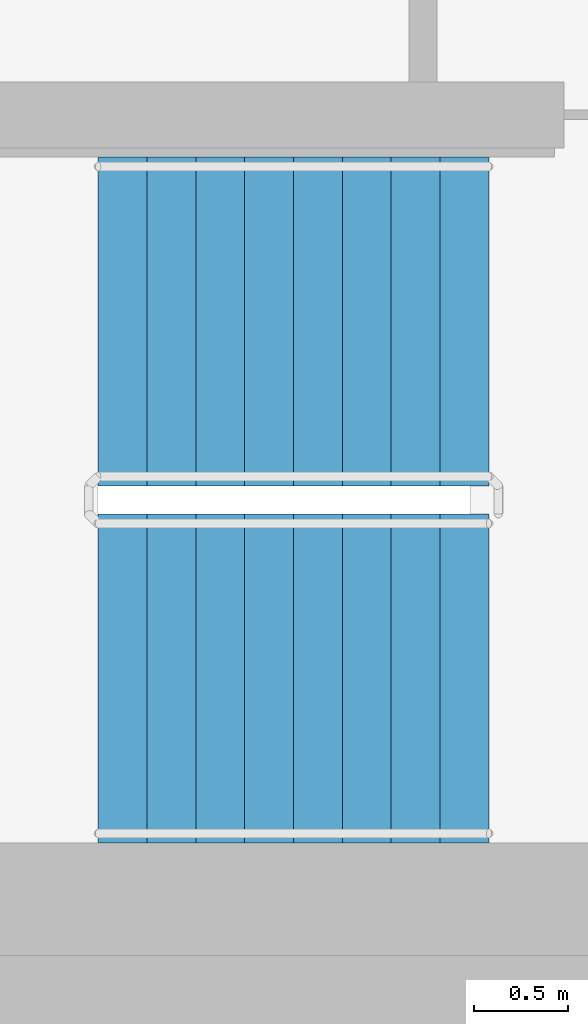
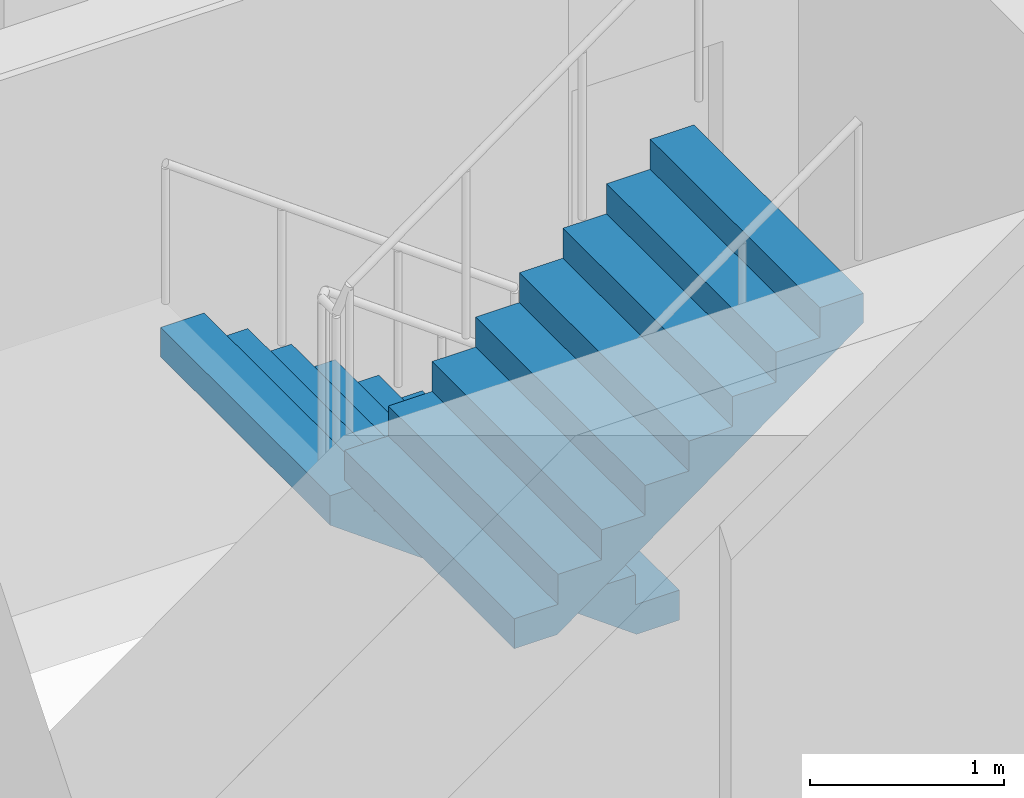
# One storey, part 12 of 18: 2 stair flights, 1 element without a shape of its own.
"""IFC4 building model written with IfcOpenShell, lengths in metres."""

import ifcopenshell
import ifcopenshell.guid

model = None  # the IFC model being written
_history = None  # IfcOwnerHistory: only IFC2X3 demands one
_inside = {}  # id of a spatial element -> (the spatial element, [elements in it])
_under = {}  # id of a project, library or spatial element -> (it, [spatial elements below it])
_declared = {}  # id of a project -> (the project, [libraries it declares])
_typed = {}  # id of a type object -> (the type object, [elements of that type])
_made_of = {}  # id of a material, layer set ... -> (it, [elements and type objects made of it])


def new_model(schema):
    """Start an empty IFC model of exactly this schema.

    Asked for "IFC4X3", IfcOpenShell would pick the latest addendum, in which some entities
    have other attributes; the version numbers below select the first issue.
    IFC2X3 requires an IfcOwnerHistory on every rooted entity: one is made here for all.
    """
    global model, _history
    if schema == "IFC4X3":
        model = ifcopenshell.file(schema_version=(4, 3, 0, 0))
    else:
        model = ifcopenshell.file(schema=schema)
    _inside.clear()
    _under.clear()
    _declared.clear()
    _typed.clear()
    _made_of.clear()
    _history = None
    if model.schema == "IFC2X3":
        org = make("IfcOrganization", Name="unknown")
        user = make(
            "IfcPersonAndOrganization",
            ThePerson=make("IfcPerson", FamilyName="unknown"),
            TheOrganization=org,
        )
        app = make(
            "IfcApplication",
            ApplicationDeveloper=org,
            Version="unknown",
            ApplicationFullName="unknown",
            ApplicationIdentifier="unknown",
        )
        _history = make(
            "IfcOwnerHistory",
            OwningUser=user,
            OwningApplication=app,
            ChangeAction="ADDED",
            CreationDate=0,
        )
    return model


def make(cls, **values):
    """One entity of the class cls with the attributes given. An attribute that is None is left unset."""
    return model.create_entity(
        cls, **{name: value for name, value in values.items() if value is not None}
    )


def rooted(cls, **values):
    """An entity with a GlobalId (a new one), such as an element, a storey or a relation."""
    return make(cls, GlobalId=ifcopenshell.guid.new(), OwnerHistory=_history, **values)


def si_unit(unit_type, name, prefix=None):
    """IfcSIUnit, for example si_unit("LENGTHUNIT", "METRE", prefix="MILLI")."""
    return make("IfcSIUnit", UnitType=unit_type, Prefix=prefix, Name=name)


def assignment(units):
    """IfcUnitAssignment: the units of a project."""
    return None if units is None else make("IfcUnitAssignment", Units=units)


def point(xyz):
    """IfcCartesianPoint."""
    return None if xyz is None else make("IfcCartesianPoint", Coordinates=xyz)


def direction(xyz):
    """IfcDirection."""
    return None if xyz is None else make("IfcDirection", DirectionRatios=xyz)


def frame(location, z_axis=None, x_axis=None):
    """IfcAxis2Placement3D, a coordinate frame: its origin and axes. An axis left out is left unset."""
    return make(
        "IfcAxis2Placement3D",
        Location=point(location),
        Axis=direction(z_axis),
        RefDirection=direction(x_axis),
    )


def origin():
    """The frame at (0, 0, 0) with its axes left unset."""
    return frame((0.0, 0.0, 0.0))


def place(relative_to, where):
    """IfcLocalPlacement: puts the frame where relative to a parent placement (None: the world)."""
    return make(
        "IfcLocalPlacement", PlacementRelTo=relative_to, RelativePlacement=where
    )


def context(
    kind, dimensions, precision=None, world=None, true_north=None, identifier=None
):
    """IfcGeometricRepresentationContext, for example the 3D "Model" context."""
    return make(
        "IfcGeometricRepresentationContext",
        ContextIdentifier=identifier,
        ContextType=kind,
        CoordinateSpaceDimension=dimensions,
        Precision=precision,
        WorldCoordinateSystem=world,
        TrueNorth=true_north,
    )


def subcontext(parent, identifier, kind, view, scale=None):
    """IfcGeometricRepresentationSubContext, for example "Body" below "Model"."""
    return make(
        "IfcGeometricRepresentationSubContext",
        ContextIdentifier=identifier,
        ContextType=kind,
        ParentContext=parent,
        TargetScale=scale,
        TargetView=view,
    )


def project(units=None, contexts=None):
    """IfcProject with its units and contexts."""
    return rooted(
        "IfcProject",
        Name="project",
        RepresentationContexts=contexts,
        UnitsInContext=assignment(units),
    )


def spatial(cls, under=None, at=None, **own):
    """A site, building, storey or space (cls), placed at a placement, below another one or the project."""
    s = rooted(cls, ObjectPlacement=at, **own)
    if under is not None:
        _under.setdefault(under.id(), (under, []))[1].append(s)
    return s


def faces_of(points, faces, orient=None, outer=None):
    """IfcFace entities. A face is a list of loops; a loop is a list of indices into points, from 0.

    orient and outer hold one flag for each loop. By default every Orientation is true, the
    first loop of a face is its IfcFaceOuterBound and the others are IfcFaceBound.
    """
    made = []
    for i, loops in enumerate(faces):
        bounds = []
        for j, loop in enumerate(loops):
            is_outer = j == 0 if outer is None else outer[i][j]
            bounds.append(
                make(
                    "IfcFaceOuterBound" if is_outer else "IfcFaceBound",
                    Bound=make("IfcPolyLoop", Polygon=[points[k] for k in loop]),
                    Orientation=True if orient is None else orient[i][j],
                )
            )
        made.append(make("IfcFace", Bounds=bounds))
    return made


def faceted_brep(points, faces, orient=None, outer=None, voids=None):
    """IfcFacetedBrep: a solid bounded by flat faces; with voids (closed shells), ...WithVoids."""
    shared = [point(p) for p in points]
    hull = make("IfcClosedShell", CfsFaces=faces_of(shared, faces, orient, outer))
    if voids is None:
        return make("IfcFacetedBrep", Outer=hull)
    return make(
        "IfcFacetedBrepWithVoids",
        Outer=hull,
        Voids=[
            make(cls, CfsFaces=faces_of(shared, fs, o, b)) for cls, fs, o, b in voids
        ],
    )


def shape(context_of_items, identifier, shape_type, items):
    """IfcShapeRepresentation: the items that make up one representation, for example the "Body"."""
    return make(
        "IfcShapeRepresentation",
        ContextOfItems=context_of_items,
        RepresentationIdentifier=identifier,
        RepresentationType=shape_type,
        Items=items,
    )


def material(Name=None, Category=None):
    """IfcMaterial."""
    return make("IfcMaterial", Name=Name, Category=Category)


def made_of(thing, what):
    """Note that an element or type object is made of a material, layer set ...; save() writes the relation."""
    if what is not None:
        _made_of.setdefault(what.id(), (what, []))[1].append(thing)
    return thing


def type_object(cls, material=None, **own):
    """A type object (cls), such as IfcWallType, which elements share."""
    return made_of(rooted(cls, **own), material)


def element(
    cls,
    number,
    at=None,
    inside=None,
    cuts=None,
    type_object=None,
    material=None,
    context=None,
    identifier="Body",
    shape_type=None,
    held_by="IfcProductDefinitionShape",
    body=None,
    shapes=None,
    **own,
):
    """One element of the class cls, such as IfcWall. Its Tag is "e" and its number.

    at: its placement. inside: the storey or other place that contains it. cuts: it is an
    opening in that element (IfcRelVoidsElement). A single representation is given by context,
    identifier, shape_type and body (its items); several are given by shapes. held_by: the class
    of the entity that holds the representations. save() writes the other relations.
    """
    e = rooted(cls, Tag="e%d" % number, ObjectPlacement=at, **own)
    if body is not None:
        shapes = [shape(context, identifier, shape_type, body)]
    if shapes is not None:
        e.Representation = make(held_by, Representations=shapes)
    if inside is not None:
        _inside.setdefault(inside.id(), (inside, []))[1].append(e)
    if cuts is not None:
        rooted(
            "IfcRelVoidsElement", RelatingBuildingElement=cuts, RelatedOpeningElement=e
        )
    if type_object is not None:
        _typed.setdefault(type_object.id(), (type_object, []))[1].append(e)
    return made_of(e, material)


def aggregate(whole, parts):
    """IfcRelAggregates: a whole, such as a stair, and the parts it consists of."""
    return rooted("IfcRelAggregates", RelatingObject=whole, RelatedObjects=parts)


def save(model, path):
    """Write the relations noted so far, then the file.

    IfcRelAggregates (storeys below a building ...), IfcRelContainedInSpatialStructure (elements
    in a storey), IfcRelDefinesByType, IfcRelAssociatesMaterial and IfcRelDeclares: one each for
    every whole, place, type object, material and project.
    """
    for whole, parts in _under.values():
        aggregate(whole, parts)
    for where, things in _inside.values():
        rooted(
            "IfcRelContainedInSpatialStructure",
            RelatedElements=things,
            RelatingStructure=where,
        )
    for kind, things in _typed.values():
        rooted("IfcRelDefinesByType", RelatedObjects=things, RelatingType=kind)
    for what, things in _made_of.values():
        rooted("IfcRelAssociatesMaterial", RelatedObjects=things, RelatingMaterial=what)
    for by, libraries in _declared.values():
        rooted("IfcRelDeclares", RelatingContext=by, RelatedDefinitions=libraries)
    model.write(path)


model = new_model("IFC4")

# Units and contexts
model_context = context("Model", 3, precision=1e-05, world=origin(), true_north=direction((0.0, 1.0)))
body_context = subcontext(model_context, "Body", "Model", "MODEL_VIEW")
ifc_project = project(units=[si_unit("LENGTHUNIT", "METRE"), si_unit("AREAUNIT", "SQUARE_METRE"), si_unit("VOLUMEUNIT", "CUBIC_METRE"), si_unit("PLANEANGLEUNIT", "RADIAN"), si_unit("MASSUNIT", "GRAM", prefix="KILO")], contexts=[model_context])

# Site, building, storey
site_placement = place(None, origin())
site = spatial("IfcSite", under=ifc_project, at=site_placement, CompositionType="ELEMENT")
building_placement = place(site_placement, origin())
building = spatial("IfcBuilding", under=site, at=building_placement, Name="Ipe Terrace Towers", CompositionType="ELEMENT")
storey_placement = place(building_placement, frame((0.0, 0.0, 192.60009765625)))
storey = spatial("IfcBuildingStorey", under=building, at=storey_placement, Name="L53", CompositionType="ELEMENT", Elevation=192.60009765625)

# Stair, stair flights
ifc_material_1 = material(Name="Concrete C30/37", Category="concrete")
stair_type = type_object("IfcStairType", Name="Protected exit stair", PredefinedType="HALF_TURN_STAIR", material=ifc_material_1)
stair_placement = place(storey_placement, origin())
stair = element("IfcStair", 1, at=stair_placement, inside=storey, type_object=stair_type, Name="L53 Exit stair T1-C2", PredefinedType="HALF_TURN_STAIR")
ifc_material_2 = material(Name="Concrete C30/37", Category="concrete")
stair_flight_type = type_object("IfcStairFlightType", Name="Exit stair flight 1750", PredefinedType="STRAIGHT", material=ifc_material_2)
stair_flight_1_placement = place(storey_placement, frame((-45.699951171875, -2.77490234375, 0.0), z_axis=(0.0, 0.0, 1.0), x_axis=(-1.0, 0.0, 0.0)))
stair_flight_1 = element("IfcStairFlight", 2, at=stair_flight_1_placement, type_object=stair_flight_type, Name="T1-ST2 flight 1", NumberOfRisers=9, NumberOfTreads=8, PredefinedType="STRAIGHT", RiserHeight=0.188888889, TreadLength=0.26, context=body_context, shape_type="Brep", body=[
    faceted_brep([(0.255126953125, -0.875, 0.0), (2.080078125, -0.875, 1.325927734375), (2.080078125, -0.875, 1.51123046875), (1.820068359375, -0.875, 1.51123046875), (1.820068359375, -0.875, 1.322265625), (1.56005859375, -0.875, 1.322265625), (1.56005859375, -0.875, 1.13330078125), (1.300048828125, -0.875, 1.13330078125), (1.300048828125, -0.875, 0.9443359375), (1.0400390625, -0.875, 0.9443359375), (1.0400390625, -0.875, 0.755615234375), (0.780029296875, -0.875, 0.755615234375), (0.780029296875, -0.875, 0.566650390625), (0.52001953125, -0.875, 0.566650390625), (0.52001953125, -0.875, 0.377685546875), (0.260009765625, -0.875, 0.377685546875), (0.260009765625, -0.875, 0.18896484375), (0.0, -0.875, 0.18896484375), (0.0, -0.875, 0.0), (0.0, 0.875, 0.0), (0.0, 0.875, 0.18896484375), (0.260009765625, 0.875, 0.18896484375), (0.260009765625, 0.875, 0.377685546875), (0.52001953125, 0.875, 0.377685546875), (0.52001953125, 0.875, 0.566650390625), (0.780029296875, 0.875, 0.566650390625), (0.780029296875, 0.875, 0.755615234375), (1.0400390625, 0.875, 0.755615234375), (1.0400390625, 0.875, 0.9443359375), (1.300048828125, 0.875, 0.9443359375), (1.300048828125, 0.875, 1.13330078125), (1.56005859375, 0.875, 1.13330078125), (1.56005859375, 0.875, 1.322265625), (1.820068359375, 0.875, 1.322265625), (1.820068359375, 0.875, 1.51123046875), (2.080078125, 0.875, 1.51123046875), (2.080078125, 0.875, 1.325927734375), (0.255126953125, 0.875, 0.0), (0.0, -0.300048828125, 0.18896484375), (0.0, -0.1201171875, 0.18896484375), (0.0, -0.06005859375, 0.18896484375), (0.0, -0.030029296875, 0.18896484375), (0.0, -0.010009765625, 0.18896484375), (0.0, 0.0, 0.18896484375), (0.0, 0.010009765625, 0.18896484375), (0.0, 0.030029296875, 0.18896484375), (0.0, 0.06005859375, 0.18896484375), (0.0, 0.1201171875, 0.18896484375), (0.0, 0.300048828125, 0.18896484375), (0.0, 0.300048828125, 0.0), (0.0, 0.1201171875, 0.0), (0.0, 0.06005859375, 0.0), (0.0, 0.030029296875, 0.0), (0.0, 0.010009765625, 0.0), (0.0, 0.0, 0.0), (0.0, -0.010009765625, 0.0), (0.0, -0.030029296875, 0.0), (0.0, -0.06005859375, 0.0), (0.0, -0.1201171875, 0.0), (0.0, -0.300048828125, 0.0), (0.260009765625, -0.300048828125, 0.18896484375), (0.260009765625, -0.1201171875, 0.18896484375), (0.260009765625, -0.06005859375, 0.18896484375), (0.260009765625, -0.030029296875, 0.18896484375), (0.260009765625, -0.010009765625, 0.18896484375), (0.260009765625, 0.0, 0.18896484375), (0.260009765625, 0.010009765625, 0.18896484375), (0.260009765625, 0.030029296875, 0.18896484375), (0.260009765625, 0.06005859375, 0.18896484375), (0.260009765625, 0.1201171875, 0.18896484375), (0.260009765625, 0.300048828125, 0.18896484375), (0.260009765625, -0.300048828125, 0.377685546875), (0.260009765625, -0.1201171875, 0.377685546875), (0.260009765625, -0.06005859375, 0.377685546875), (0.260009765625, -0.030029296875, 0.377685546875), (0.260009765625, -0.010009765625, 0.377685546875), (0.260009765625, 0.0, 0.377685546875), (0.260009765625, 0.010009765625, 0.377685546875), (0.260009765625, 0.030029296875, 0.377685546875), (0.260009765625, 0.06005859375, 0.377685546875), (0.260009765625, 0.1201171875, 0.377685546875), (0.260009765625, 0.300048828125, 0.377685546875), (0.52001953125, -0.300048828125, 0.377685546875), (0.52001953125, -0.1201171875, 0.377685546875), (0.52001953125, -0.06005859375, 0.377685546875), (0.52001953125, -0.030029296875, 0.377685546875), (0.52001953125, -0.010009765625, 0.377685546875), (0.52001953125, 0.0, 0.377685546875), (0.52001953125, 0.010009765625, 0.377685546875), (0.52001953125, 0.030029296875, 0.377685546875), (0.52001953125, 0.06005859375, 0.377685546875), (0.52001953125, 0.1201171875, 0.377685546875), (0.52001953125, 0.300048828125, 0.377685546875), (0.52001953125, -0.300048828125, 0.566650390625), (0.52001953125, -0.1201171875, 0.566650390625), (0.52001953125, -0.06005859375, 0.566650390625), (0.52001953125, -0.030029296875, 0.566650390625), (0.52001953125, -0.010009765625, 0.566650390625), (0.52001953125, 0.0, 0.566650390625), (0.52001953125, 0.010009765625, 0.566650390625), (0.52001953125, 0.030029296875, 0.566650390625), (0.52001953125, 0.06005859375, 0.566650390625), (0.52001953125, 0.1201171875, 0.566650390625), (0.52001953125, 0.300048828125, 0.566650390625), (0.780029296875, -0.300048828125, 0.566650390625), (0.780029296875, -0.1201171875, 0.566650390625), (0.780029296875, -0.06005859375, 0.566650390625), (0.780029296875, -0.030029296875, 0.566650390625), (0.780029296875, -0.010009765625, 0.566650390625), (0.780029296875, 0.0, 0.566650390625), (0.780029296875, 0.010009765625, 0.566650390625), (0.780029296875, 0.030029296875, 0.566650390625), (0.780029296875, 0.06005859375, 0.566650390625), (0.780029296875, 0.1201171875, 0.566650390625), (0.780029296875, 0.300048828125, 0.566650390625), (0.780029296875, -0.300048828125, 0.755615234375), (0.780029296875, -0.1201171875, 0.755615234375), (0.780029296875, -0.06005859375, 0.755615234375), (0.780029296875, -0.030029296875, 0.755615234375), (0.780029296875, -0.010009765625, 0.755615234375), (0.780029296875, 0.0, 0.755615234375), (0.780029296875, 0.010009765625, 0.755615234375), (0.780029296875, 0.030029296875, 0.755615234375), (0.780029296875, 0.06005859375, 0.755615234375), (0.780029296875, 0.1201171875, 0.755615234375), (0.780029296875, 0.300048828125, 0.755615234375), (1.0400390625, -0.300048828125, 0.755615234375), (1.0400390625, -0.1201171875, 0.755615234375), (1.0400390625, -0.06005859375, 0.755615234375), (1.0400390625, -0.030029296875, 0.755615234375), (1.0400390625, -0.010009765625, 0.755615234375), (1.0400390625, 0.0, 0.755615234375), (1.0400390625, 0.010009765625, 0.755615234375), (1.0400390625, 0.030029296875, 0.755615234375), (1.0400390625, 0.06005859375, 0.755615234375), (1.0400390625, 0.1201171875, 0.755615234375), (1.0400390625, 0.300048828125, 0.755615234375), (1.0400390625, -0.300048828125, 0.9443359375), (1.0400390625, -0.1201171875, 0.9443359375), (1.0400390625, -0.06005859375, 0.9443359375), (1.0400390625, -0.030029296875, 0.9443359375), (1.0400390625, -0.010009765625, 0.9443359375), (1.0400390625, 0.0, 0.9443359375), (1.0400390625, 0.010009765625, 0.9443359375), (1.0400390625, 0.030029296875, 0.9443359375), (1.0400390625, 0.06005859375, 0.9443359375), (1.0400390625, 0.1201171875, 0.9443359375), (1.0400390625, 0.300048828125, 0.9443359375), (1.300048828125, -0.300048828125, 0.9443359375), (1.300048828125, -0.1201171875, 0.9443359375), (1.300048828125, -0.06005859375, 0.9443359375), (1.300048828125, -0.030029296875, 0.9443359375), (1.300048828125, -0.010009765625, 0.9443359375), (1.300048828125, 0.0, 0.9443359375), (1.300048828125, 0.010009765625, 0.9443359375), (1.300048828125, 0.030029296875, 0.9443359375), (1.300048828125, 0.06005859375, 0.9443359375), (1.300048828125, 0.1201171875, 0.9443359375), (1.300048828125, 0.300048828125, 0.9443359375), (1.300048828125, -0.300048828125, 1.13330078125), (1.300048828125, -0.1201171875, 1.13330078125), (1.300048828125, -0.06005859375, 1.13330078125), (1.300048828125, -0.030029296875, 1.13330078125), (1.300048828125, -0.010009765625, 1.13330078125), (1.300048828125, 0.0, 1.13330078125), (1.300048828125, 0.010009765625, 1.13330078125), (1.300048828125, 0.030029296875, 1.13330078125), (1.300048828125, 0.06005859375, 1.13330078125), (1.300048828125, 0.1201171875, 1.13330078125), (1.300048828125, 0.300048828125, 1.13330078125), (1.56005859375, -0.300048828125, 1.13330078125), (1.56005859375, -0.1201171875, 1.13330078125), (1.56005859375, -0.06005859375, 1.13330078125), (1.56005859375, -0.030029296875, 1.13330078125), (1.56005859375, -0.010009765625, 1.13330078125), (1.56005859375, 0.0, 1.13330078125), (1.56005859375, 0.010009765625, 1.13330078125), (1.56005859375, 0.030029296875, 1.13330078125), (1.56005859375, 0.06005859375, 1.13330078125), (1.56005859375, 0.1201171875, 1.13330078125), (1.56005859375, 0.300048828125, 1.13330078125), (1.56005859375, -0.300048828125, 1.322265625), (1.56005859375, -0.1201171875, 1.322265625), (1.56005859375, -0.06005859375, 1.322265625), (1.56005859375, -0.030029296875, 1.322265625), (1.56005859375, -0.010009765625, 1.322265625), (1.56005859375, 0.0, 1.322265625), (1.56005859375, 0.010009765625, 1.322265625), (1.56005859375, 0.030029296875, 1.322265625), (1.56005859375, 0.06005859375, 1.322265625), (1.56005859375, 0.1201171875, 1.322265625), (1.56005859375, 0.300048828125, 1.322265625), (1.820068359375, -0.300048828125, 1.322265625), (1.820068359375, -0.1201171875, 1.322265625), (1.820068359375, -0.06005859375, 1.322265625), (1.820068359375, -0.030029296875, 1.322265625), (1.820068359375, -0.010009765625, 1.322265625), (1.820068359375, 0.0, 1.322265625), (1.820068359375, 0.010009765625, 1.322265625), (1.820068359375, 0.030029296875, 1.322265625), (1.820068359375, 0.06005859375, 1.322265625), (1.820068359375, 0.1201171875, 1.322265625), (1.820068359375, 0.300048828125, 1.322265625), (1.820068359375, -0.300048828125, 1.51123046875), (1.820068359375, -0.1201171875, 1.51123046875), (1.820068359375, -0.06005859375, 1.51123046875), (1.820068359375, -0.030029296875, 1.51123046875), (1.820068359375, -0.010009765625, 1.51123046875), (1.820068359375, 0.0, 1.51123046875), (1.820068359375, 0.010009765625, 1.51123046875), (1.820068359375, 0.030029296875, 1.51123046875), (1.820068359375, 0.06005859375, 1.51123046875), (1.820068359375, 0.1201171875, 1.51123046875), (1.820068359375, 0.300048828125, 1.51123046875), (2.080078125, -0.300048828125, 1.51123046875), (2.080078125, -0.1201171875, 1.51123046875), (2.080078125, -0.06005859375, 1.51123046875), (2.080078125, -0.030029296875, 1.51123046875), (2.080078125, -0.010009765625, 1.51123046875), (2.080078125, 0.0, 1.51123046875), (2.080078125, 0.010009765625, 1.51123046875), (2.080078125, 0.030029296875, 1.51123046875), (2.080078125, 0.06005859375, 1.51123046875), (2.080078125, 0.1201171875, 1.51123046875), (2.080078125, 0.300048828125, 1.51123046875), (2.080078125, -0.300048828125, 1.325927734375), (2.080078125, -0.1201171875, 1.325927734375), (2.080078125, -0.06005859375, 1.325927734375), (2.080078125, -0.030029296875, 1.325927734375), (2.080078125, -0.010009765625, 1.325927734375), (2.080078125, 0.0, 1.325927734375), (2.080078125, 0.010009765625, 1.325927734375), (2.080078125, 0.030029296875, 1.325927734375), (2.080078125, 0.06005859375, 1.325927734375), (2.080078125, 0.1201171875, 1.325927734375), (2.080078125, 0.300048828125, 1.325927734375), (0.255126953125, -0.300048828125, 0.0), (0.255126953125, -0.1201171875, 0.0), (0.255126953125, -0.06005859375, 0.0), (0.255126953125, -0.030029296875, 0.0), (0.255126953125, -0.010009765625, 0.0), (0.255126953125, 0.0, 0.0), (0.255126953125, 0.010009765625, 0.0), (0.255126953125, 0.030029296875, 0.0), (0.255126953125, 0.06005859375, 0.0), (0.255126953125, 0.1201171875, 0.0), (0.255126953125, 0.300048828125, 0.0)], [[[0, 1, 2, 3, 4, 5, 6, 7, 8, 9, 10, 11, 12, 13, 14, 15, 16, 17, 18]], [[19, 20, 21, 22, 23, 24, 25, 26, 27, 28, 29, 30, 31, 32, 33, 34, 35, 36, 37]], [[17, 38, 39, 40, 41, 42, 43, 44, 45, 46, 47, 48, 20, 19, 49, 50, 51, 52, 53, 54, 55, 56, 57, 58, 59, 18]], [[16, 60, 61, 62, 63, 64, 65, 66, 67, 68, 69, 70, 21, 20, 48, 47, 46, 45, 44, 43, 42, 41, 40, 39, 38, 17]], [[15, 71, 72, 73, 74, 75, 76, 77, 78, 79, 80, 81, 22, 21, 70, 69, 68, 67, 66, 65, 64, 63, 62, 61, 60, 16]], [[14, 82, 83, 84, 85, 86, 87, 88, 89, 90, 91, 92, 23, 22, 81, 80, 79, 78, 77, 76, 75, 74, 73, 72, 71, 15]], [[13, 93, 94, 95, 96, 97, 98, 99, 100, 101, 102, 103, 24, 23, 92, 91, 90, 89, 88, 87, 86, 85, 84, 83, 82, 14]], [[12, 104, 105, 106, 107, 108, 109, 110, 111, 112, 113, 114, 25, 24, 103, 102, 101, 100, 99, 98, 97, 96, 95, 94, 93, 13]], [[11, 115, 116, 117, 118, 119, 120, 121, 122, 123, 124, 125, 26, 25, 114, 113, 112, 111, 110, 109, 108, 107, 106, 105, 104, 12]], [[10, 126, 127, 128, 129, 130, 131, 132, 133, 134, 135, 136, 27, 26, 125, 124, 123, 122, 121, 120, 119, 118, 117, 116, 115, 11]], [[9, 137, 138, 139, 140, 141, 142, 143, 144, 145, 146, 147, 28, 27, 136, 135, 134, 133, 132, 131, 130, 129, 128, 127, 126, 10]], [[8, 148, 149, 150, 151, 152, 153, 154, 155, 156, 157, 158, 29, 28, 147, 146, 145, 144, 143, 142, 141, 140, 139, 138, 137, 9]], [[7, 159, 160, 161, 162, 163, 164, 165, 166, 167, 168, 169, 30, 29, 158, 157, 156, 155, 154, 153, 152, 151, 150, 149, 148, 8]], [[6, 170, 171, 172, 173, 174, 175, 176, 177, 178, 179, 180, 31, 30, 169, 168, 167, 166, 165, 164, 163, 162, 161, 160, 159, 7]], [[5, 181, 182, 183, 184, 185, 186, 187, 188, 189, 190, 191, 32, 31, 180, 179, 178, 177, 176, 175, 174, 173, 172, 171, 170, 6]], [[4, 192, 193, 194, 195, 196, 197, 198, 199, 200, 201, 202, 33, 32, 191, 190, 189, 188, 187, 186, 185, 184, 183, 182, 181, 5]], [[3, 203, 204, 205, 206, 207, 208, 209, 210, 211, 212, 213, 34, 33, 202, 201, 200, 199, 198, 197, 196, 195, 194, 193, 192, 4]], [[2, 214, 215, 216, 217, 218, 219, 220, 221, 222, 223, 224, 35, 34, 213, 212, 211, 210, 209, 208, 207, 206, 205, 204, 203, 3]], [[1, 225, 226, 227, 228, 229, 230, 231, 232, 233, 234, 235, 36, 35, 224, 223, 222, 221, 220, 219, 218, 217, 216, 215, 214, 2]], [[0, 236, 237, 238, 239, 240, 241, 242, 243, 244, 245, 246, 37, 36, 235, 234, 233, 232, 231, 230, 229, 228, 227, 226, 225, 1]], [[18, 59, 58, 57, 56, 55, 54, 53, 52, 51, 50, 49, 19, 37, 246, 245, 244, 243, 242, 241, 240, 239, 238, 237, 236, 0]]]),
])
stair_flight_2_placement = place(storey_placement, frame((-47.780029296875, -4.675048828125, 1.699951171875), z_axis=(0.0, 0.0, 1.0), x_axis=(1.0, 0.0, 0.0)))
stair_flight_2 = element("IfcStairFlight", 3, at=stair_flight_2_placement, type_object=stair_flight_type, Name="T1-ST2 flight 2", NumberOfRisers=9, NumberOfTreads=8, PredefinedType="STRAIGHT", RiserHeight=0.188888889, TreadLength=0.26, context=body_context, shape_type="Brep", body=[
    faceted_brep([(0.255126953125, -0.875, 0.0), (2.080078125, -0.875, 1.325927734375), (2.080078125, -0.875, 1.51123046875), (1.820068359375, -0.875, 1.51123046875), (1.820068359375, -0.875, 1.322265625), (1.56005859375, -0.875, 1.322265625), (1.56005859375, -0.875, 1.13330078125), (1.300048828125, -0.875, 1.13330078125), (1.300048828125, -0.875, 0.9443359375), (1.0400390625, -0.875, 0.9443359375), (1.0400390625, -0.875, 0.755615234375), (0.780029296875, -0.875, 0.755615234375), (0.780029296875, -0.875, 0.566650390625), (0.52001953125, -0.875, 0.566650390625), (0.52001953125, -0.875, 0.377685546875), (0.260009765625, -0.875, 0.377685546875), (0.260009765625, -0.875, 0.18896484375), (0.0, -0.875, 0.18896484375), (0.0, -0.875, 0.0), (0.0, 0.875, 0.0), (0.0, 0.875, 0.18896484375), (0.260009765625, 0.875, 0.18896484375), (0.260009765625, 0.875, 0.377685546875), (0.52001953125, 0.875, 0.377685546875), (0.52001953125, 0.875, 0.566650390625), (0.780029296875, 0.875, 0.566650390625), (0.780029296875, 0.875, 0.755615234375), (1.0400390625, 0.875, 0.755615234375), (1.0400390625, 0.875, 0.9443359375), (1.300048828125, 0.875, 0.9443359375), (1.300048828125, 0.875, 1.13330078125), (1.56005859375, 0.875, 1.13330078125), (1.56005859375, 0.875, 1.322265625), (1.820068359375, 0.875, 1.322265625), (1.820068359375, 0.875, 1.51123046875), (2.080078125, 0.875, 1.51123046875), (2.080078125, 0.875, 1.325927734375), (0.255126953125, 0.875, 0.0), (0.0, -0.300048828125, 0.18896484375), (0.0, -0.1201171875, 0.18896484375), (0.0, -0.06005859375, 0.18896484375), (0.0, -0.030029296875, 0.18896484375), (0.0, -0.010009765625, 0.18896484375), (0.0, 0.0, 0.18896484375), (0.0, 0.010009765625, 0.18896484375), (0.0, 0.030029296875, 0.18896484375), (0.0, 0.06005859375, 0.18896484375), (0.0, 0.1201171875, 0.18896484375), (0.0, 0.300048828125, 0.18896484375), (0.0, 0.300048828125, 0.0), (0.0, 0.1201171875, 0.0), (0.0, 0.06005859375, 0.0), (0.0, 0.030029296875, 0.0), (0.0, 0.010009765625, 0.0), (0.0, 0.0, 0.0), (0.0, -0.010009765625, 0.0), (0.0, -0.030029296875, 0.0), (0.0, -0.06005859375, 0.0), (0.0, -0.1201171875, 0.0), (0.0, -0.300048828125, 0.0), (0.260009765625, -0.300048828125, 0.18896484375), (0.260009765625, -0.1201171875, 0.18896484375), (0.260009765625, -0.06005859375, 0.18896484375), (0.260009765625, -0.030029296875, 0.18896484375), (0.260009765625, -0.010009765625, 0.18896484375), (0.260009765625, 0.0, 0.18896484375), (0.260009765625, 0.010009765625, 0.18896484375), (0.260009765625, 0.030029296875, 0.18896484375), (0.260009765625, 0.06005859375, 0.18896484375), (0.260009765625, 0.1201171875, 0.18896484375), (0.260009765625, 0.300048828125, 0.18896484375), (0.260009765625, -0.300048828125, 0.377685546875), (0.260009765625, -0.1201171875, 0.377685546875), (0.260009765625, -0.06005859375, 0.377685546875), (0.260009765625, -0.030029296875, 0.377685546875), (0.260009765625, -0.010009765625, 0.377685546875), (0.260009765625, 0.0, 0.377685546875), (0.260009765625, 0.010009765625, 0.377685546875), (0.260009765625, 0.030029296875, 0.377685546875), (0.260009765625, 0.06005859375, 0.377685546875), (0.260009765625, 0.1201171875, 0.377685546875), (0.260009765625, 0.300048828125, 0.377685546875), (0.52001953125, -0.300048828125, 0.377685546875), (0.52001953125, -0.1201171875, 0.377685546875), (0.52001953125, -0.06005859375, 0.377685546875), (0.52001953125, -0.030029296875, 0.377685546875), (0.52001953125, -0.010009765625, 0.377685546875), (0.52001953125, 0.0, 0.377685546875), (0.52001953125, 0.010009765625, 0.377685546875), (0.52001953125, 0.030029296875, 0.377685546875), (0.52001953125, 0.06005859375, 0.377685546875), (0.52001953125, 0.1201171875, 0.377685546875), (0.52001953125, 0.300048828125, 0.377685546875), (0.52001953125, -0.300048828125, 0.566650390625), (0.52001953125, -0.1201171875, 0.566650390625), (0.52001953125, -0.06005859375, 0.566650390625), (0.52001953125, -0.030029296875, 0.566650390625), (0.52001953125, -0.010009765625, 0.566650390625), (0.52001953125, 0.0, 0.566650390625), (0.52001953125, 0.010009765625, 0.566650390625), (0.52001953125, 0.030029296875, 0.566650390625), (0.52001953125, 0.06005859375, 0.566650390625), (0.52001953125, 0.1201171875, 0.566650390625), (0.52001953125, 0.300048828125, 0.566650390625), (0.780029296875, -0.300048828125, 0.566650390625), (0.780029296875, -0.1201171875, 0.566650390625), (0.780029296875, -0.06005859375, 0.566650390625), (0.780029296875, -0.030029296875, 0.566650390625), (0.780029296875, -0.010009765625, 0.566650390625), (0.780029296875, 0.0, 0.566650390625), (0.780029296875, 0.010009765625, 0.566650390625), (0.780029296875, 0.030029296875, 0.566650390625), (0.780029296875, 0.06005859375, 0.566650390625), (0.780029296875, 0.1201171875, 0.566650390625), (0.780029296875, 0.300048828125, 0.566650390625), (0.780029296875, -0.300048828125, 0.755615234375), (0.780029296875, -0.1201171875, 0.755615234375), (0.780029296875, -0.06005859375, 0.755615234375), (0.780029296875, -0.030029296875, 0.755615234375), (0.780029296875, -0.010009765625, 0.755615234375), (0.780029296875, 0.0, 0.755615234375), (0.780029296875, 0.010009765625, 0.755615234375), (0.780029296875, 0.030029296875, 0.755615234375), (0.780029296875, 0.06005859375, 0.755615234375), (0.780029296875, 0.1201171875, 0.755615234375), (0.780029296875, 0.300048828125, 0.755615234375), (1.0400390625, -0.300048828125, 0.755615234375), (1.0400390625, -0.1201171875, 0.755615234375), (1.0400390625, -0.06005859375, 0.755615234375), (1.0400390625, -0.030029296875, 0.755615234375), (1.0400390625, -0.010009765625, 0.755615234375), (1.0400390625, 0.0, 0.755615234375), (1.0400390625, 0.010009765625, 0.755615234375), (1.0400390625, 0.030029296875, 0.755615234375), (1.0400390625, 0.06005859375, 0.755615234375), (1.0400390625, 0.1201171875, 0.755615234375), (1.0400390625, 0.300048828125, 0.755615234375), (1.0400390625, -0.300048828125, 0.9443359375), (1.0400390625, -0.1201171875, 0.9443359375), (1.0400390625, -0.06005859375, 0.9443359375), (1.0400390625, -0.030029296875, 0.9443359375), (1.0400390625, -0.010009765625, 0.9443359375), (1.0400390625, 0.0, 0.9443359375), (1.0400390625, 0.010009765625, 0.9443359375), (1.0400390625, 0.030029296875, 0.9443359375), (1.0400390625, 0.06005859375, 0.9443359375), (1.0400390625, 0.1201171875, 0.9443359375), (1.0400390625, 0.300048828125, 0.9443359375), (1.300048828125, -0.300048828125, 0.9443359375), (1.300048828125, -0.1201171875, 0.9443359375), (1.300048828125, -0.06005859375, 0.9443359375), (1.300048828125, -0.030029296875, 0.9443359375), (1.300048828125, -0.010009765625, 0.9443359375), (1.300048828125, 0.0, 0.9443359375), (1.300048828125, 0.010009765625, 0.9443359375), (1.300048828125, 0.030029296875, 0.9443359375), (1.300048828125, 0.06005859375, 0.9443359375), (1.300048828125, 0.1201171875, 0.9443359375), (1.300048828125, 0.300048828125, 0.9443359375), (1.300048828125, -0.300048828125, 1.13330078125), (1.300048828125, -0.1201171875, 1.13330078125), (1.300048828125, -0.06005859375, 1.13330078125), (1.300048828125, -0.030029296875, 1.13330078125), (1.300048828125, -0.010009765625, 1.13330078125), (1.300048828125, 0.0, 1.13330078125), (1.300048828125, 0.010009765625, 1.13330078125), (1.300048828125, 0.030029296875, 1.13330078125), (1.300048828125, 0.06005859375, 1.13330078125), (1.300048828125, 0.1201171875, 1.13330078125), (1.300048828125, 0.300048828125, 1.13330078125), (1.56005859375, -0.300048828125, 1.13330078125), (1.56005859375, -0.1201171875, 1.13330078125), (1.56005859375, -0.06005859375, 1.13330078125), (1.56005859375, -0.030029296875, 1.13330078125), (1.56005859375, -0.010009765625, 1.13330078125), (1.56005859375, 0.0, 1.13330078125), (1.56005859375, 0.010009765625, 1.13330078125), (1.56005859375, 0.030029296875, 1.13330078125), (1.56005859375, 0.06005859375, 1.13330078125), (1.56005859375, 0.1201171875, 1.13330078125), (1.56005859375, 0.300048828125, 1.13330078125), (1.56005859375, -0.300048828125, 1.322265625), (1.56005859375, -0.1201171875, 1.322265625), (1.56005859375, -0.06005859375, 1.322265625), (1.56005859375, -0.030029296875, 1.322265625), (1.56005859375, -0.010009765625, 1.322265625), (1.56005859375, 0.0, 1.322265625), (1.56005859375, 0.010009765625, 1.322265625), (1.56005859375, 0.030029296875, 1.322265625), (1.56005859375, 0.06005859375, 1.322265625), (1.56005859375, 0.1201171875, 1.322265625), (1.56005859375, 0.300048828125, 1.322265625), (1.820068359375, -0.300048828125, 1.322265625), (1.820068359375, -0.1201171875, 1.322265625), (1.820068359375, -0.06005859375, 1.322265625), (1.820068359375, -0.030029296875, 1.322265625), (1.820068359375, -0.010009765625, 1.322265625), (1.820068359375, 0.0, 1.322265625), (1.820068359375, 0.010009765625, 1.322265625), (1.820068359375, 0.030029296875, 1.322265625), (1.820068359375, 0.06005859375, 1.322265625), (1.820068359375, 0.1201171875, 1.322265625), (1.820068359375, 0.300048828125, 1.322265625), (1.820068359375, -0.300048828125, 1.51123046875), (1.820068359375, -0.1201171875, 1.51123046875), (1.820068359375, -0.06005859375, 1.51123046875), (1.820068359375, -0.030029296875, 1.51123046875), (1.820068359375, -0.010009765625, 1.51123046875), (1.820068359375, 0.0, 1.51123046875), (1.820068359375, 0.010009765625, 1.51123046875), (1.820068359375, 0.030029296875, 1.51123046875), (1.820068359375, 0.06005859375, 1.51123046875), (1.820068359375, 0.1201171875, 1.51123046875), (1.820068359375, 0.300048828125, 1.51123046875), (2.080078125, -0.300048828125, 1.51123046875), (2.080078125, -0.1201171875, 1.51123046875), (2.080078125, -0.06005859375, 1.51123046875), (2.080078125, -0.030029296875, 1.51123046875), (2.080078125, -0.010009765625, 1.51123046875), (2.080078125, 0.0, 1.51123046875), (2.080078125, 0.010009765625, 1.51123046875), (2.080078125, 0.030029296875, 1.51123046875), (2.080078125, 0.06005859375, 1.51123046875), (2.080078125, 0.1201171875, 1.51123046875), (2.080078125, 0.300048828125, 1.51123046875), (2.080078125, -0.300048828125, 1.325927734375), (2.080078125, -0.1201171875, 1.325927734375), (2.080078125, -0.06005859375, 1.325927734375), (2.080078125, -0.030029296875, 1.325927734375), (2.080078125, -0.010009765625, 1.325927734375), (2.080078125, 0.0, 1.325927734375), (2.080078125, 0.010009765625, 1.325927734375), (2.080078125, 0.030029296875, 1.325927734375), (2.080078125, 0.06005859375, 1.325927734375), (2.080078125, 0.1201171875, 1.325927734375), (2.080078125, 0.300048828125, 1.325927734375), (0.255126953125, -0.300048828125, 0.0), (0.255126953125, -0.1201171875, 0.0), (0.255126953125, -0.06005859375, 0.0), (0.255126953125, -0.030029296875, 0.0), (0.255126953125, -0.010009765625, 0.0), (0.255126953125, 0.0, 0.0), (0.255126953125, 0.010009765625, 0.0), (0.255126953125, 0.030029296875, 0.0), (0.255126953125, 0.06005859375, 0.0), (0.255126953125, 0.1201171875, 0.0), (0.255126953125, 0.300048828125, 0.0)], [[[0, 1, 2, 3, 4, 5, 6, 7, 8, 9, 10, 11, 12, 13, 14, 15, 16, 17, 18]], [[19, 20, 21, 22, 23, 24, 25, 26, 27, 28, 29, 30, 31, 32, 33, 34, 35, 36, 37]], [[17, 38, 39, 40, 41, 42, 43, 44, 45, 46, 47, 48, 20, 19, 49, 50, 51, 52, 53, 54, 55, 56, 57, 58, 59, 18]], [[16, 60, 61, 62, 63, 64, 65, 66, 67, 68, 69, 70, 21, 20, 48, 47, 46, 45, 44, 43, 42, 41, 40, 39, 38, 17]], [[15, 71, 72, 73, 74, 75, 76, 77, 78, 79, 80, 81, 22, 21, 70, 69, 68, 67, 66, 65, 64, 63, 62, 61, 60, 16]], [[14, 82, 83, 84, 85, 86, 87, 88, 89, 90, 91, 92, 23, 22, 81, 80, 79, 78, 77, 76, 75, 74, 73, 72, 71, 15]], [[13, 93, 94, 95, 96, 97, 98, 99, 100, 101, 102, 103, 24, 23, 92, 91, 90, 89, 88, 87, 86, 85, 84, 83, 82, 14]], [[12, 104, 105, 106, 107, 108, 109, 110, 111, 112, 113, 114, 25, 24, 103, 102, 101, 100, 99, 98, 97, 96, 95, 94, 93, 13]], [[11, 115, 116, 117, 118, 119, 120, 121, 122, 123, 124, 125, 26, 25, 114, 113, 112, 111, 110, 109, 108, 107, 106, 105, 104, 12]], [[10, 126, 127, 128, 129, 130, 131, 132, 133, 134, 135, 136, 27, 26, 125, 124, 123, 122, 121, 120, 119, 118, 117, 116, 115, 11]], [[9, 137, 138, 139, 140, 141, 142, 143, 144, 145, 146, 147, 28, 27, 136, 135, 134, 133, 132, 131, 130, 129, 128, 127, 126, 10]], [[8, 148, 149, 150, 151, 152, 153, 154, 155, 156, 157, 158, 29, 28, 147, 146, 145, 144, 143, 142, 141, 140, 139, 138, 137, 9]], [[7, 159, 160, 161, 162, 163, 164, 165, 166, 167, 168, 169, 30, 29, 158, 157, 156, 155, 154, 153, 152, 151, 150, 149, 148, 8]], [[6, 170, 171, 172, 173, 174, 175, 176, 177, 178, 179, 180, 31, 30, 169, 168, 167, 166, 165, 164, 163, 162, 161, 160, 159, 7]], [[5, 181, 182, 183, 184, 185, 186, 187, 188, 189, 190, 191, 32, 31, 180, 179, 178, 177, 176, 175, 174, 173, 172, 171, 170, 6]], [[4, 192, 193, 194, 195, 196, 197, 198, 199, 200, 201, 202, 33, 32, 191, 190, 189, 188, 187, 186, 185, 184, 183, 182, 181, 5]], [[3, 203, 204, 205, 206, 207, 208, 209, 210, 211, 212, 213, 34, 33, 202, 201, 200, 199, 198, 197, 196, 195, 194, 193, 192, 4]], [[2, 214, 215, 216, 217, 218, 219, 220, 221, 222, 223, 224, 35, 34, 213, 212, 211, 210, 209, 208, 207, 206, 205, 204, 203, 3]], [[1, 225, 226, 227, 228, 229, 230, 231, 232, 233, 234, 235, 36, 35, 224, 223, 222, 221, 220, 219, 218, 217, 216, 215, 214, 2]], [[0, 236, 237, 238, 239, 240, 241, 242, 243, 244, 245, 246, 37, 36, 235, 234, 233, 232, 231, 230, 229, 228, 227, 226, 225, 1]], [[18, 59, 58, 57, 56, 55, 54, 53, 52, 51, 50, 49, 19, 37, 246, 245, 244, 243, 242, 241, 240, 239, 238, 237, 236, 0]]]),
])
aggregate(stair, [stair_flight_1, stair_flight_2])

save(model, "model.ifc")
